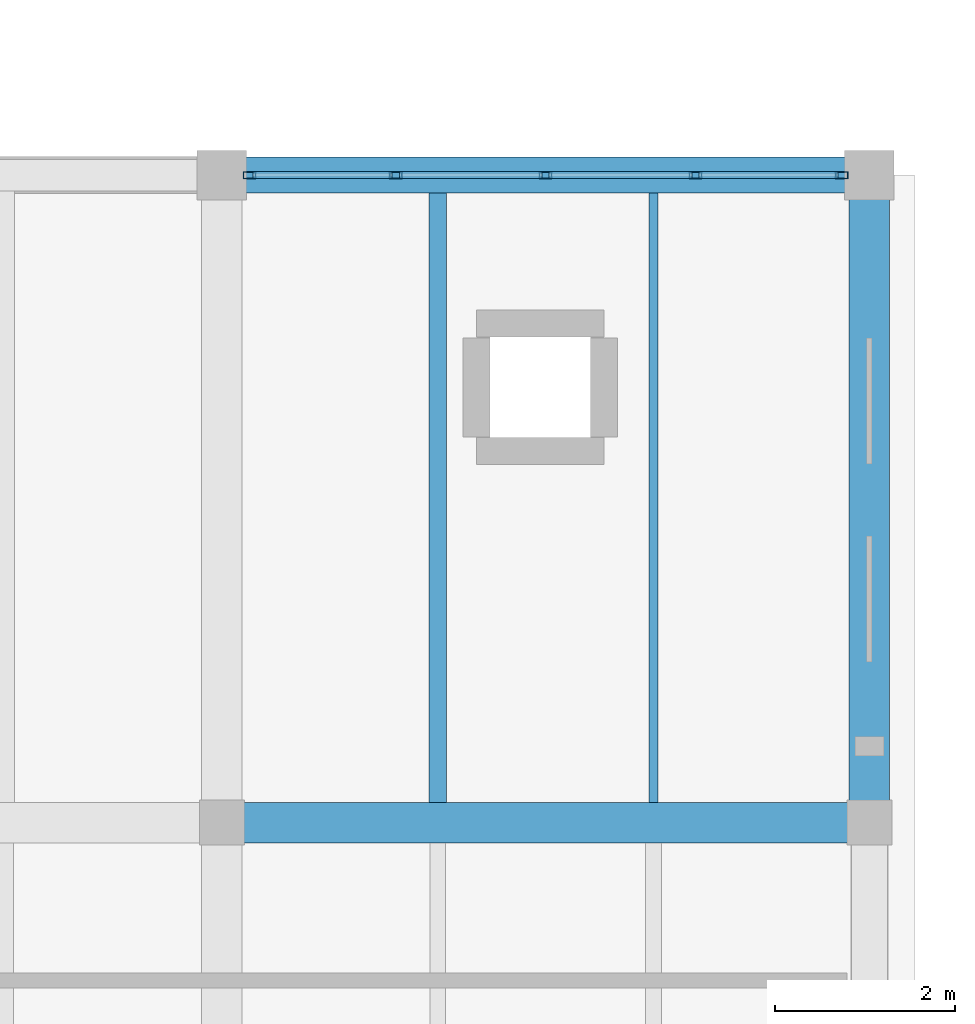
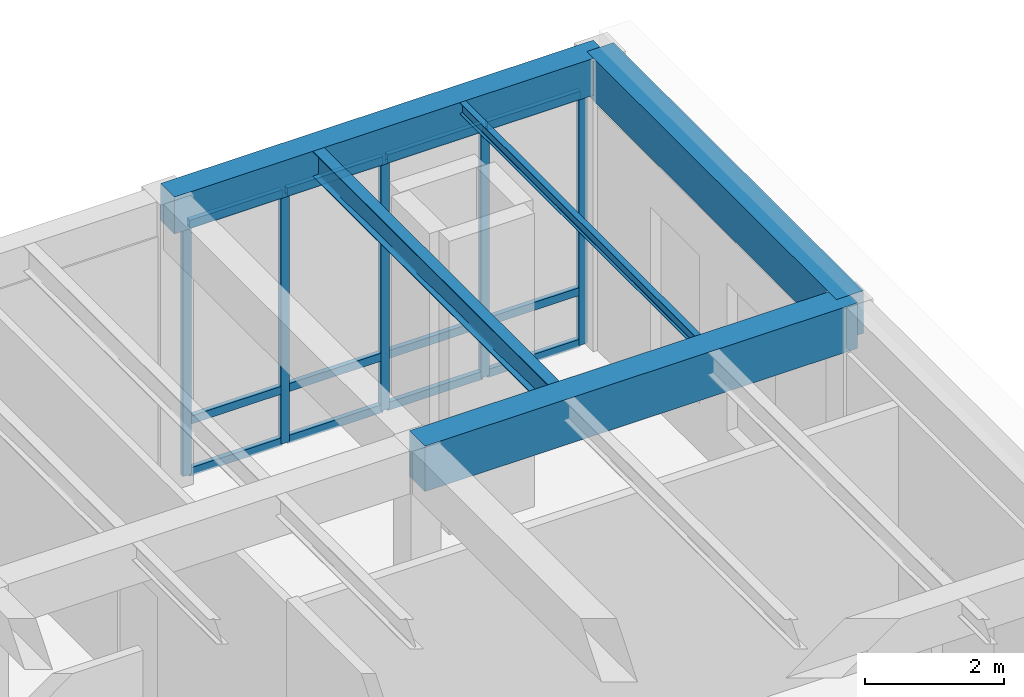
# One storey, part 108 of 169: 17 members, 5 beams, 1 element without a shape of its own.
"""IFC4 building model written with IfcOpenShell, lengths in metres."""

from ifc_helpers import new_model, si_unit, direction, frame, origin, origin_2d, place, context, subcontext, project, spatial, rectangle, hollow_rectangle, i_section, extrude, material, layer, layer_set, material_profile, profile_set, type_object, element, aggregate, save


model = new_model("IFC4")

# Units and contexts
model_context = context("Model", 3, precision=1e-05, world=origin(), true_north=direction((0.0, 1.0)))
body_context = subcontext(model_context, "Body", "Model", "MODEL_VIEW")
ifc_project = project(units=[si_unit("LENGTHUNIT", "METRE"), si_unit("AREAUNIT", "SQUARE_METRE"), si_unit("VOLUMEUNIT", "CUBIC_METRE"), si_unit("PLANEANGLEUNIT", "RADIAN"), si_unit("MASSUNIT", "GRAM", prefix="KILO")], contexts=[model_context])

# Site, building, storey
site_placement = place(None, origin())
site = spatial("IfcSite", under=ifc_project, at=site_placement, CompositionType="ELEMENT")
building_placement = place(site_placement, origin())
building = spatial("IfcBuilding", under=site, at=building_placement, Name="Mazaris Harbour Polytechnic", CompositionType="ELEMENT")
storey_placement = place(building_placement, origin())
storey = spatial("IfcBuildingStorey", under=building, at=storey_placement, Name="L00", CompositionType="ELEMENT", Elevation=0.0)

# Curtain wall, members
ifc_material_1 = material(Name="Anodised Bronze Aluminium and Low-E Glass", Category="aluminium")
ifc_layer = layer(ifc_material_1, 0.169921875, Name="Anodised Bronze Aluminium and Low-E Glass")
ifc_layer_set = layer_set([ifc_layer], Name="Anodised Bronze Aluminium and Low-E Glass")
curtain_wall_type = type_object("IfcCurtainWallType", Name="Studio North-Light Curtain Wall", PredefinedType="NOTDEFINED", material=ifc_layer_set)
curtain_wall_placement = place(storey_placement, origin())
curtain_wall = element("IfcCurtainWall", 1, at=curtain_wall_placement, inside=storey, type_object=curtain_wall_type, Name="V5 L00 Curtain Wall 186", PredefinedType="NOTDEFINED")
ifc_material_2 = material(Name="Anodised Bronze Steel S355", Category="steel")
ifc_material_profile_1 = material_profile(ifc_material_2, hollow_rectangle(XDim=0.080078125, YDim=0.139892578125, WallThickness=0.00634765625, at=origin_2d()), Name="RHS 80x140x6.3")
ifc_profile_set_1 = profile_set([ifc_material_profile_1], Name="Anodised Bronze Steel S355")
member_type_1 = type_object("IfcMemberType", Name="Curtain Mullion RHS80x140", PredefinedType="MULLION", material=ifc_profile_set_1)
member_1_placement = place(storey_placement, frame((165.906982421875, 108.0, 0.0), z_axis=(0.0, 0.0, 1.0), x_axis=(0.0, 1.0, 0.0)))
member_1 = element("IfcMember", 2, at=member_1_placement, type_object=member_type_1, Name="CW-03 mullion 1", PredefinedType="MULLION", context=body_context, shape_type="SweptSolid", body=[
    extrude(hollow_rectangle(XDim=0.080078125, YDim=0.139892578125, WallThickness=0.00634765625, at=origin_2d()), origin(), (0.0, 0.0, 1.0), 4.43994140625),
])
member_2_placement = place(storey_placement, frame((167.533447265625, 108.0, 0.0), z_axis=(0.0, 0.0, 1.0), x_axis=(0.0, 1.0, 0.0)))
member_2 = element("IfcMember", 3, at=member_2_placement, type_object=member_type_1, Name="CW-03 mullion 2", PredefinedType="MULLION", context=body_context, shape_type="SweptSolid", body=[
    extrude(hollow_rectangle(XDim=0.080078125, YDim=0.139892578125, WallThickness=0.00634765625, at=origin_2d()), origin(), (0.0, 0.0, 1.0), 4.43994140625),
])
member_3_placement = place(storey_placement, frame((169.199951171875, 108.0, 0.0), z_axis=(0.0, 0.0, 1.0), x_axis=(0.0, 1.0, 0.0)))
member_3 = element("IfcMember", 4, at=member_3_placement, type_object=member_type_1, Name="CW-03 mullion 3", PredefinedType="MULLION", context=body_context, shape_type="SweptSolid", body=[
    extrude(hollow_rectangle(XDim=0.080078125, YDim=0.139892578125, WallThickness=0.00634765625, at=origin_2d()), origin(), (0.0, 0.0, 1.0), 4.43994140625),
])
member_4_placement = place(storey_placement, frame((170.866455078125, 108.0, 0.0), z_axis=(0.0, 0.0, 1.0), x_axis=(0.0, 1.0, 0.0)))
member_4 = element("IfcMember", 5, at=member_4_placement, type_object=member_type_1, Name="CW-03 mullion 4", PredefinedType="MULLION", context=body_context, shape_type="SweptSolid", body=[
    extrude(hollow_rectangle(XDim=0.080078125, YDim=0.139892578125, WallThickness=0.00634765625, at=origin_2d()), origin(), (0.0, 0.0, 1.0), 4.43994140625),
])
member_5_placement = place(storey_placement, frame((172.492919921875, 108.0, 0.0), z_axis=(0.0, 0.0, 1.0), x_axis=(0.0, 1.0, 0.0)))
member_5 = element("IfcMember", 6, at=member_5_placement, type_object=member_type_1, Name="CW-03 mullion 5", PredefinedType="MULLION", context=body_context, shape_type="SweptSolid", body=[
    extrude(hollow_rectangle(XDim=0.080078125, YDim=0.139892578125, WallThickness=0.00634765625, at=origin_2d()), origin(), (0.0, 0.0, 1.0), 4.43994140625),
])
ifc_material_3 = material(Name="Anodised Bronze Steel S355", Category="steel")
ifc_material_profile_2 = material_profile(ifc_material_3, hollow_rectangle(XDim=0.080078125, YDim=0.139892578125, WallThickness=0.00634765625, at=origin_2d()), Name="RHS 80x140x6.3")
ifc_profile_set_2 = profile_set([ifc_material_profile_2], Name="Anodised Bronze Steel S355")
member_type_2 = type_object("IfcMemberType", Name="Curtain Transom RHS80x140", PredefinedType="USERDEFINED", material=ifc_profile_set_2)
member_6_placement = place(storey_placement, frame((165.947021484375, 108.0, 0.0400390625), z_axis=(1.0, 0.0, 0.0), x_axis=(0.0, 1.0, 0.0)))
member_6 = element("IfcMember", 7, at=member_6_placement, type_object=member_type_2, Name="CW-03 transom 1.1", ObjectType="TRANSOM", PredefinedType="USERDEFINED", context=body_context, shape_type="SweptSolid", body=[
    extrude(hollow_rectangle(XDim=0.080078125, YDim=0.139892578125, WallThickness=0.00634765625, at=origin_2d()), origin(), (0.0, 0.0, 1.0), 1.54638671875),
])
member_7_placement = place(storey_placement, frame((165.947021484375, 108.0, 0.949951171875), z_axis=(1.0, 0.0, 0.0), x_axis=(0.0, 1.0, 0.0)))
member_7 = element("IfcMember", 8, at=member_7_placement, type_object=member_type_2, Name="CW-03 transom 1.2", ObjectType="TRANSOM", PredefinedType="USERDEFINED", context=body_context, shape_type="SweptSolid", body=[
    extrude(hollow_rectangle(XDim=0.080078125, YDim=0.139892578125, WallThickness=0.00634765625, at=origin_2d()), origin(), (0.0, 0.0, 1.0), 1.54638671875),
])
member_8_placement = place(storey_placement, frame((165.947021484375, 108.0, 4.39990234375), z_axis=(1.0, 0.0, 0.0), x_axis=(0.0, 1.0, 0.0)))
member_8 = element("IfcMember", 9, at=member_8_placement, type_object=member_type_2, Name="CW-03 transom 1.3", ObjectType="TRANSOM", PredefinedType="USERDEFINED", context=body_context, shape_type="SweptSolid", body=[
    extrude(hollow_rectangle(XDim=0.080078125, YDim=0.139892578125, WallThickness=0.00634765625, at=origin_2d()), origin(), (0.0, 0.0, 1.0), 1.54638671875),
])
member_9_placement = place(storey_placement, frame((167.573486328125, 108.0, 0.0400390625), z_axis=(1.0, 0.0, 0.0), x_axis=(0.0, 1.0, 0.0)))
member_9 = element("IfcMember", 10, at=member_9_placement, type_object=member_type_2, Name="CW-03 transom 2.1", ObjectType="TRANSOM", PredefinedType="USERDEFINED", context=body_context, shape_type="SweptSolid", body=[
    extrude(hollow_rectangle(XDim=0.080078125, YDim=0.139892578125, WallThickness=0.00634765625, at=origin_2d()), origin(), (0.0, 0.0, 1.0), 1.58642578125),
])
member_10_placement = place(storey_placement, frame((167.573486328125, 108.0, 0.949951171875), z_axis=(1.0, 0.0, 0.0), x_axis=(0.0, 1.0, 0.0)))
member_10 = element("IfcMember", 11, at=member_10_placement, type_object=member_type_2, Name="CW-03 transom 2.2", ObjectType="TRANSOM", PredefinedType="USERDEFINED", context=body_context, shape_type="SweptSolid", body=[
    extrude(hollow_rectangle(XDim=0.080078125, YDim=0.139892578125, WallThickness=0.00634765625, at=origin_2d()), origin(), (0.0, 0.0, 1.0), 1.58642578125),
])
member_11_placement = place(storey_placement, frame((167.573486328125, 108.0, 4.39990234375), z_axis=(1.0, 0.0, 0.0), x_axis=(0.0, 1.0, 0.0)))
member_11 = element("IfcMember", 12, at=member_11_placement, type_object=member_type_2, Name="CW-03 transom 2.3", ObjectType="TRANSOM", PredefinedType="USERDEFINED", context=body_context, shape_type="SweptSolid", body=[
    extrude(hollow_rectangle(XDim=0.080078125, YDim=0.139892578125, WallThickness=0.00634765625, at=origin_2d()), origin(), (0.0, 0.0, 1.0), 1.58642578125),
])
member_12_placement = place(storey_placement, frame((169.239990234375, 108.0, 0.0400390625), z_axis=(1.0, 0.0, 0.0), x_axis=(0.0, 1.0, 0.0)))
member_12 = element("IfcMember", 13, at=member_12_placement, type_object=member_type_2, Name="CW-03 transom 3.1", ObjectType="TRANSOM", PredefinedType="USERDEFINED", context=body_context, shape_type="SweptSolid", body=[
    extrude(hollow_rectangle(XDim=0.080078125, YDim=0.139892578125, WallThickness=0.00634765625, at=origin_2d()), origin(), (0.0, 0.0, 1.0), 1.58642578125),
])
member_13_placement = place(storey_placement, frame((169.239990234375, 108.0, 0.949951171875), z_axis=(1.0, 0.0, 0.0), x_axis=(0.0, 1.0, 0.0)))
member_13 = element("IfcMember", 14, at=member_13_placement, type_object=member_type_2, Name="CW-03 transom 3.2", ObjectType="TRANSOM", PredefinedType="USERDEFINED", context=body_context, shape_type="SweptSolid", body=[
    extrude(hollow_rectangle(XDim=0.080078125, YDim=0.139892578125, WallThickness=0.00634765625, at=origin_2d()), origin(), (0.0, 0.0, 1.0), 1.58642578125),
])
member_14_placement = place(storey_placement, frame((169.239990234375, 108.0, 4.39990234375), z_axis=(1.0, 0.0, 0.0), x_axis=(0.0, 1.0, 0.0)))
member_14 = element("IfcMember", 15, at=member_14_placement, type_object=member_type_2, Name="CW-03 transom 3.3", ObjectType="TRANSOM", PredefinedType="USERDEFINED", context=body_context, shape_type="SweptSolid", body=[
    extrude(hollow_rectangle(XDim=0.080078125, YDim=0.139892578125, WallThickness=0.00634765625, at=origin_2d()), origin(), (0.0, 0.0, 1.0), 1.58642578125),
])
member_15_placement = place(storey_placement, frame((170.906494140625, 108.0, 0.0400390625), z_axis=(1.0, 0.0, 0.0), x_axis=(0.0, 1.0, 0.0)))
member_15 = element("IfcMember", 16, at=member_15_placement, type_object=member_type_2, Name="CW-03 transom 4.1", ObjectType="TRANSOM", PredefinedType="USERDEFINED", context=body_context, shape_type="SweptSolid", body=[
    extrude(hollow_rectangle(XDim=0.080078125, YDim=0.139892578125, WallThickness=0.00634765625, at=origin_2d()), origin(), (0.0, 0.0, 1.0), 1.54638671875),
])
member_16_placement = place(storey_placement, frame((170.906494140625, 108.0, 0.949951171875), z_axis=(1.0, 0.0, 0.0), x_axis=(0.0, 1.0, 0.0)))
member_16 = element("IfcMember", 17, at=member_16_placement, type_object=member_type_2, Name="CW-03 transom 4.2", ObjectType="TRANSOM", PredefinedType="USERDEFINED", context=body_context, shape_type="SweptSolid", body=[
    extrude(hollow_rectangle(XDim=0.080078125, YDim=0.139892578125, WallThickness=0.00634765625, at=origin_2d()), origin(), (0.0, 0.0, 1.0), 1.54638671875),
])
member_17_placement = place(storey_placement, frame((170.906494140625, 108.0, 4.39990234375), z_axis=(1.0, 0.0, 0.0), x_axis=(0.0, 1.0, 0.0)))
member_17 = element("IfcMember", 18, at=member_17_placement, type_object=member_type_2, Name="CW-03 transom 4.3", ObjectType="TRANSOM", PredefinedType="USERDEFINED", context=body_context, shape_type="SweptSolid", body=[
    extrude(hollow_rectangle(XDim=0.080078125, YDim=0.139892578125, WallThickness=0.00634765625, at=origin_2d()), origin(), (0.0, 0.0, 1.0), 1.54638671875),
])
aggregate(curtain_wall, [member_1, member_2, member_3, member_4, member_5, member_6, member_7, member_8, member_9, member_10, member_11, member_12, member_13, member_14, member_15, member_16, member_17])

# Beams
ifc_material_4 = material(Name="Concrete C35/45", Category="concrete")
ifc_material_profile_3 = material_profile(ifc_material_4, rectangle(XDim=0.39990234375, YDim=0.64990234375, at=origin_2d()), Name="RECT400x650")
ifc_profile_set_3 = profile_set([ifc_material_profile_3], Name="Concrete C35/45")
beam_type_1 = type_object("IfcBeamType", Name="RC Girder 400x650 Exterior", PredefinedType="BEAM", material=ifc_profile_set_3)
beam_1_placement = place(storey_placement, frame((165.60009765625, 108.0, 4.77490234375), z_axis=(1.0, 0.0, 0.0), x_axis=(0.0, 1.0, 0.0)))
element("IfcBeam", 19, at=beam_1_placement, inside=storey, type_object=beam_type_1, Name="V5 L00 Girder 2756", PredefinedType="BEAM", context=body_context, shape_type="SweptSolid", body=[
    extrude(rectangle(XDim=0.39990234375, YDim=0.64990234375, at=origin_2d()), origin(), (0.0, 0.0, 1.0), 7.199951171875),
])
ifc_material_5 = material(Name="Concrete C40/50", Category="concrete")
ifc_material_profile_4 = material_profile(ifc_material_5, rectangle(XDim=0.449951171875, YDim=0.75, at=origin_2d()), Name="RECT450x750")
ifc_profile_set_4 = profile_set([ifc_material_profile_4], Name="Concrete C40/50")
beam_type_2 = type_object("IfcBeamType", Name="RC Girder 450x750 Exterior", PredefinedType="BEAM", material=ifc_profile_set_4)
beam_2_placement = place(storey_placement, frame((172.800048828125, 100.800048828125, 4.72509765625), z_axis=(0.0, 1.0, 0.0), x_axis=(-1.0, 0.0, 0.0)))
element("IfcBeam", 20, at=beam_2_placement, inside=storey, type_object=beam_type_2, Name="V5 L00 Tie Girder 2818", PredefinedType="BEAM", context=body_context, shape_type="SweptSolid", body=[
    extrude(rectangle(XDim=0.449951171875, YDim=0.75, at=origin_2d()), origin(), (0.0, 0.0, 1.0), 7.199951171875),
])
ifc_material_6 = material(Name="Concrete C40/50", Category="concrete")
ifc_material_profile_5 = material_profile(ifc_material_6, rectangle(XDim=0.449951171875, YDim=0.800048828125, at=origin_2d()), Name="RECT450x800")
ifc_profile_set_5 = profile_set([ifc_material_profile_5], Name="Concrete C40/50")
beam_type_3 = type_object("IfcBeamType", Name="RC Girder 450x800", PredefinedType="BEAM", material=ifc_profile_set_5)
beam_3_placement = place(storey_placement, frame((165.60009765625, 100.800048828125, 4.699951171875), z_axis=(1.0, 0.0, 0.0), x_axis=(0.0, 1.0, 0.0)))
element("IfcBeam", 21, at=beam_3_placement, inside=storey, type_object=beam_type_3, Name="V5 L00 Girder 2749", PredefinedType="BEAM", context=body_context, shape_type="SweptSolid", body=[
    extrude(rectangle(XDim=0.449951171875, YDim=0.800048828125, at=origin_2d()), origin(), (0.0, 0.0, 1.0), 7.199951171875),
])
ifc_material_7 = material(Name="Steel S355", Category="steel")
ifc_material_profile_6 = material_profile(ifc_material_7, i_section(OverallWidth=0.10009765625, OverallDepth=0.199951171875, WebThickness=0.005615234375, FlangeThickness=0.008544921875, FilletRadius=0.011962890625, at=origin_2d()), Name="IPE 200")
ifc_profile_set_6 = profile_set([ifc_material_profile_6], Name="Steel S355")
beam_type_4 = type_object("IfcBeamType", Name="Steel Joist IPE200", PredefinedType="JOIST", material=ifc_profile_set_6)
beam_4_placement = place(storey_placement, frame((170.39990234375, 101.02490234375, 5.0), z_axis=(0.0, 1.0, 0.0), x_axis=(-1.0, 0.0, 0.0)))
element("IfcBeam", 22, at=beam_4_placement, inside=storey, type_object=beam_type_4, Name="V5 L00 Floor Joist 2905", PredefinedType="JOIST", context=body_context, shape_type="SweptSolid", body=[
    extrude(i_section(OverallWidth=0.10009765625, OverallDepth=0.199951171875, WebThickness=0.005615234375, FlangeThickness=0.008544921875, FilletRadius=0.011962890625, at=origin_2d()), origin(), (0.0, 0.0, 1.0), 6.775146484375),
])
ifc_material_8 = material(Name="Steel S355", Category="steel")
ifc_material_profile_7 = material_profile(ifc_material_8, i_section(OverallWidth=0.18994140625, OverallDepth=0.449951171875, WebThickness=0.009521484375, FlangeThickness=0.0146484375, FilletRadius=0.02099609375, at=origin_2d()), Name="IPE 450")
ifc_profile_set_7 = profile_set([ifc_material_profile_7], Name="Steel S355")
beam_type_5 = type_object("IfcBeamType", Name="Steel Joist IPE450", PredefinedType="JOIST", material=ifc_profile_set_7)
beam_5_placement = place(storey_placement, frame((168.0, 101.02490234375, 4.875), z_axis=(0.0, 1.0, 0.0), x_axis=(-1.0, 0.0, 0.0)))
element("IfcBeam", 23, at=beam_5_placement, inside=storey, type_object=beam_type_5, Name="V5 L00 Floor Joist 2904", PredefinedType="JOIST", context=body_context, shape_type="SweptSolid", body=[
    extrude(i_section(OverallWidth=0.18994140625, OverallDepth=0.449951171875, WebThickness=0.009521484375, FlangeThickness=0.0146484375, FilletRadius=0.02099609375, at=origin_2d()), origin(), (0.0, 0.0, 1.0), 6.775146484375),
])

save(model, "model.ifc")
